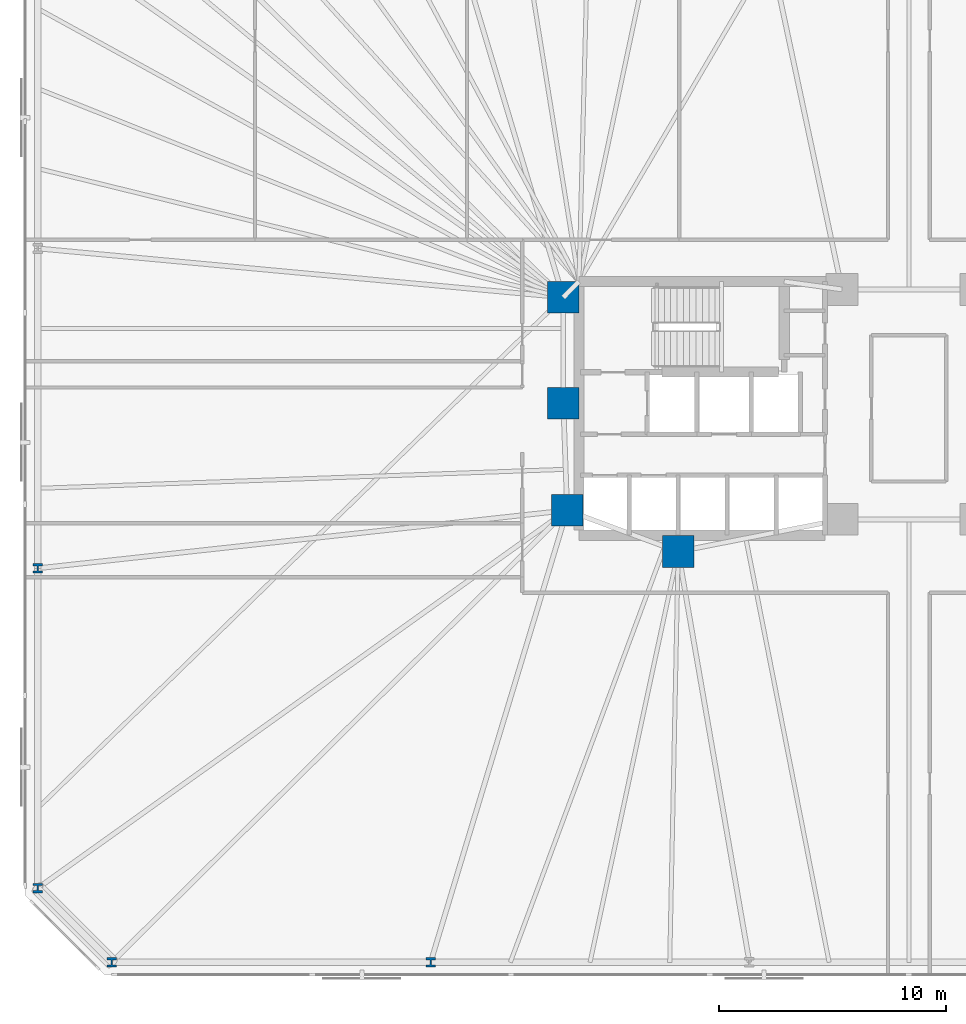
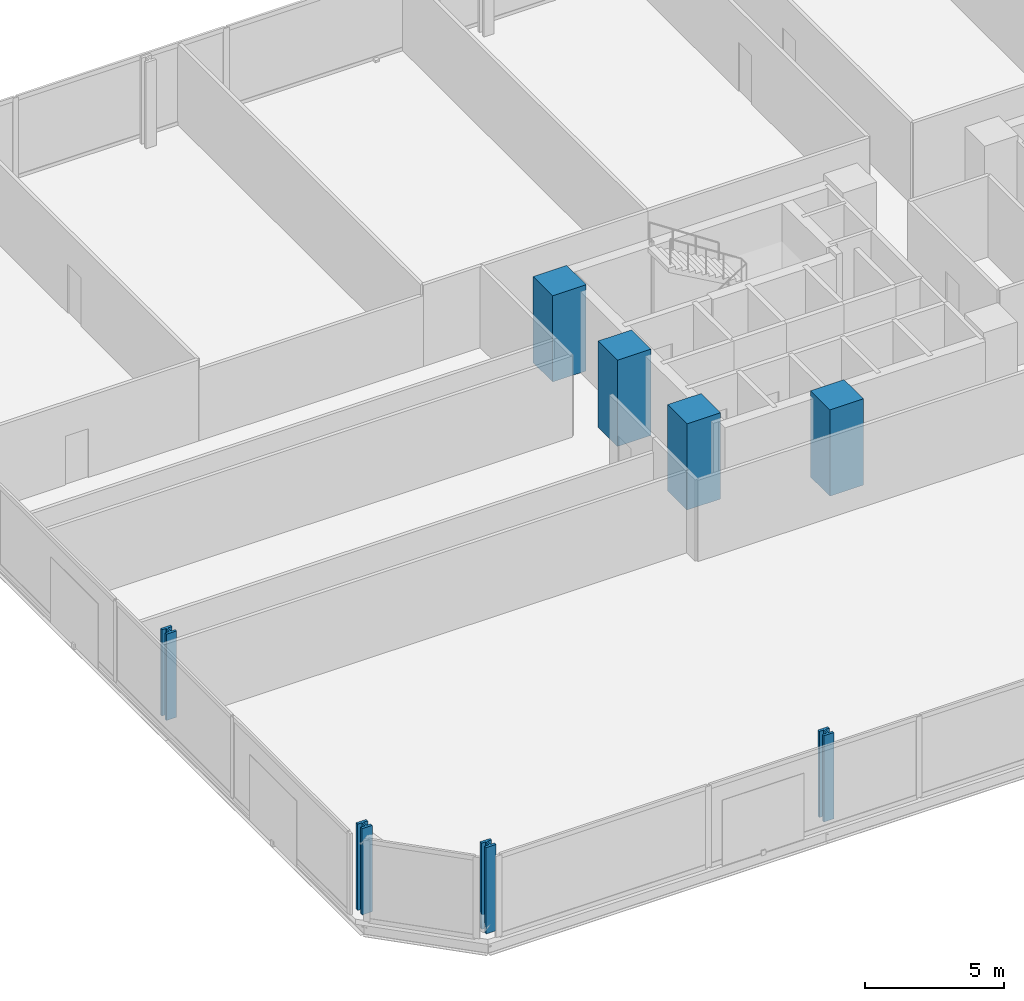
# One storey, part 1 of 16: 8 columns.
"""IFC4 building model written with IfcOpenShell, lengths in metres."""

from ifc_helpers import new_model, si_unit, direction, frame, origin, origin_2d, place, context, subcontext, project, spatial, rectangle, i_section, extrude, material, material_profile, profile_set, type_object, element, save


model = new_model("IFC4")

# Units and contexts
model_context = context("Model", 3, precision=1e-05, world=origin(), true_north=direction((0.0, 1.0)))
body_context = subcontext(model_context, "Body", "Model", "MODEL_VIEW")
ifc_project = project(units=[si_unit("LENGTHUNIT", "METRE"), si_unit("AREAUNIT", "SQUARE_METRE"), si_unit("VOLUMEUNIT", "CUBIC_METRE"), si_unit("PLANEANGLEUNIT", "RADIAN"), si_unit("MASSUNIT", "GRAM", prefix="KILO")], contexts=[model_context])

# Site, building, storey
site_placement = place(None, origin())
site = spatial("IfcSite", under=ifc_project, at=site_placement, CompositionType="ELEMENT")
building_placement = place(site_placement, origin())
building = spatial("IfcBuilding", under=site, at=building_placement, Name="Menara Jurai Vektor", CompositionType="ELEMENT")
storey_placement = place(building_placement, frame((0.0, 0.0, 33.199951171875)))
storey = spatial("IfcBuildingStorey", under=building, at=storey_placement, Name="L07", CompositionType="ELEMENT", Elevation=33.199951171875)

# Columns
ifc_material_1 = material(Name="Concrete C60/75", Category="concrete")
ifc_material_profile_1 = material_profile(ifc_material_1, rectangle(XDim=1.39990234375, YDim=1.39990234375, at=origin_2d()), Name="RC 1400x1400")
ifc_profile_set_1 = profile_set([ifc_material_profile_1], Name="Concrete C60/75")
column_type_1 = type_object("IfcColumnType", Name="STR-COL-RC1400", PredefinedType="COLUMN", material=ifc_profile_set_1)
for number, where, z_axis, x_axis, name in (
    (1, (-15.25, 4.89990234375, 0.0), (0.0, 0.0, 1.0), (1.0, 0.0, 0.0), "Core Spine Column CW-NW L07"),
    (2, (-15.25, 0.219970703125, 0.0), (0.0, 0.0, 1.0), (1.0, 0.0, 0.0), "Core Spine Column CW-WM L07"),
    (3, (-15.080078125, -4.5, 0.0), (0.0, 0.0, 1.0), (1.0, 0.0, 0.0), "Core Spine Column CW-SW L07"),
    (4, (-10.179931640625, -6.320068359375, 0.0), (0.0, 0.0, 1.0), (1.0, 0.0, 0.0), "Core Spine Column CW-SM L07"),
):
    element("IfcColumn", number, at=place(storey_placement, frame(where, z_axis=z_axis, x_axis=x_axis)), inside=storey, type_object=column_type_1, Name=name, PredefinedType="COLUMN", context=body_context, shape_type="SweptSolid", body=[
        extrude(rectangle(XDim=1.39990234375, YDim=1.39990234375, at=origin_2d()), origin(), (0.0, 0.0, 1.0), 3.800048828125),
    ])
ifc_material_2 = material(Name="Steel S460", Category="steel")
ifc_material_profile_2 = material_profile(ifc_material_2, i_section(OverallWidth=0.419921875, OverallDepth=0.430908203125, WebThickness=0.06494140625, FlangeThickness=0.10595703125, FilletRadius=0.014892578125, at=origin_2d()), Name="HD 400x900")
ifc_profile_set_2 = profile_set([ifc_material_profile_2], Name="Steel S460")
column_type_2 = type_object("IfcColumnType", Name="STR-EXO-BLK1", PredefinedType="COLUMN", material=ifc_profile_set_2)
for number, where, z_axis, x_axis, name in (
    (5, (-35.177734375, -24.449951171875, 0.0), (0.0, 0.0, 1.0), (1.0, 0.0, 0.0), "Exoskeleton Column BLK1-S1 L07"),
    (6, (-21.106689453125, -24.449951171875, 0.0), (0.0, 0.0, 1.0), (1.0, 0.0, 0.0), "Exoskeleton Column BLK1-S2 L07"),
    (7, (-38.449951171875, -7.059326171875, 0.0), (0.0, 0.0, 1.0), (1.0, 0.0, 0.0), "Exoskeleton Column BLK1-W3 L07"),
    (8, (-38.449951171875, -21.177734375, 0.0), (0.0, 0.0, 1.0), (1.0, 0.0, 0.0), "Exoskeleton Column BLK1-W4 L07"),
):
    element("IfcColumn", number, at=place(storey_placement, frame(where, z_axis=z_axis, x_axis=x_axis)), inside=storey, type_object=column_type_2, Name=name, PredefinedType="COLUMN", context=body_context, shape_type="SweptSolid", body=[
        extrude(i_section(OverallWidth=0.419921875, OverallDepth=0.430908203125, WebThickness=0.06494140625, FlangeThickness=0.10595703125, FilletRadius=0.014892578125, at=origin_2d()), origin(), (0.0, 0.0, 1.0), 3.800048828125),
    ])

save(model, "model.ifc")
